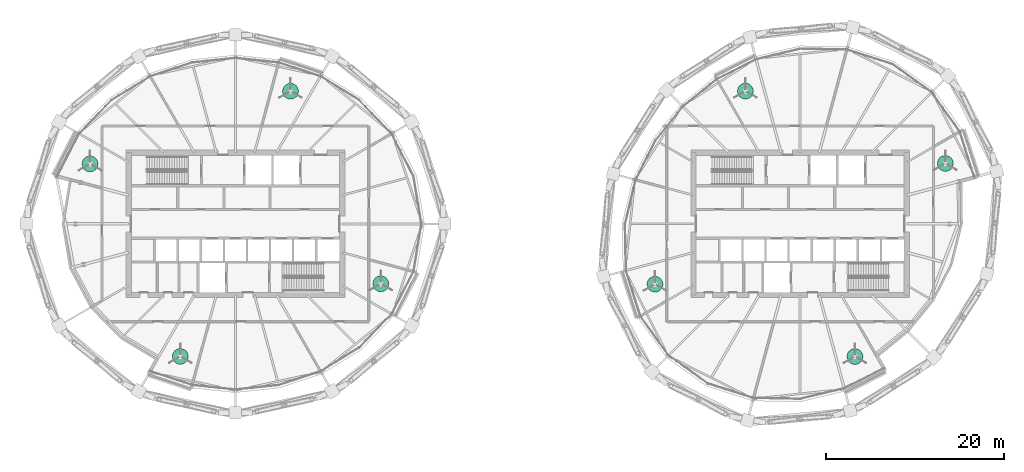
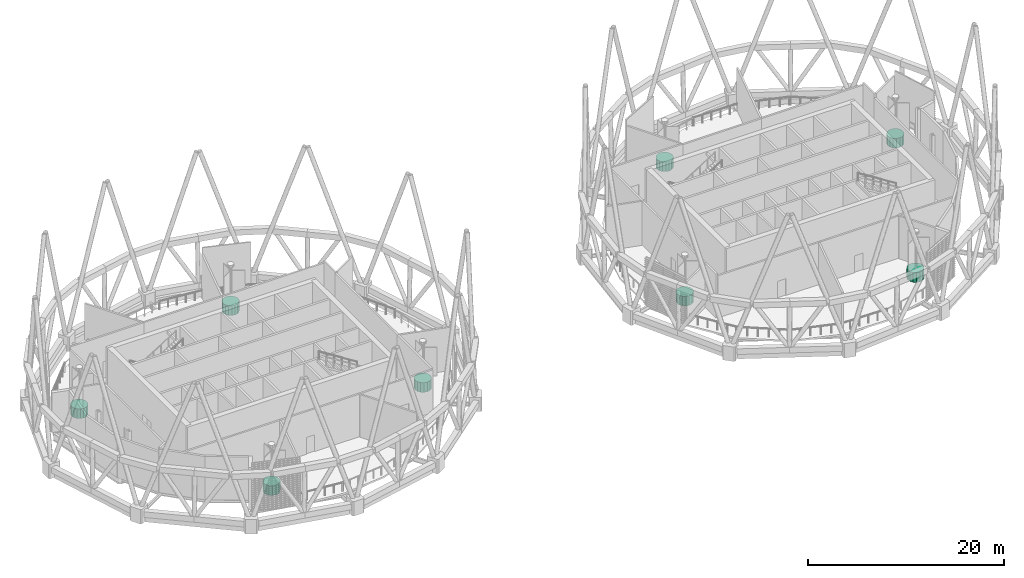
# One storey, part 22 of 22: 8 electric generators.
"""IFC4 building model written with IfcOpenShell, lengths in metres."""

import ifcopenshell
import ifcopenshell.guid

model = None  # the IFC model being written
_history = None  # IfcOwnerHistory: only IFC2X3 demands one
_inside = {}  # id of a spatial element -> (the spatial element, [elements in it])
_under = {}  # id of a project, library or spatial element -> (it, [spatial elements below it])
_declared = {}  # id of a project -> (the project, [libraries it declares])
_typed = {}  # id of a type object -> (the type object, [elements of that type])
_made_of = {}  # id of a material, layer set ... -> (it, [elements and type objects made of it])


def new_model(schema):
    """Start an empty IFC model of exactly this schema.

    Asked for "IFC4X3", IfcOpenShell would pick the latest addendum, in which some entities
    have other attributes; the version numbers below select the first issue.
    IFC2X3 requires an IfcOwnerHistory on every rooted entity: one is made here for all.
    """
    global model, _history
    if schema == "IFC4X3":
        model = ifcopenshell.file(schema_version=(4, 3, 0, 0))
    else:
        model = ifcopenshell.file(schema=schema)
    _inside.clear()
    _under.clear()
    _declared.clear()
    _typed.clear()
    _made_of.clear()
    _history = None
    if model.schema == "IFC2X3":
        org = make("IfcOrganization", Name="unknown")
        user = make(
            "IfcPersonAndOrganization",
            ThePerson=make("IfcPerson", FamilyName="unknown"),
            TheOrganization=org,
        )
        app = make(
            "IfcApplication",
            ApplicationDeveloper=org,
            Version="unknown",
            ApplicationFullName="unknown",
            ApplicationIdentifier="unknown",
        )
        _history = make(
            "IfcOwnerHistory",
            OwningUser=user,
            OwningApplication=app,
            ChangeAction="ADDED",
            CreationDate=0,
        )
    return model


def make(cls, **values):
    """One entity of the class cls with the attributes given. An attribute that is None is left unset."""
    return model.create_entity(
        cls, **{name: value for name, value in values.items() if value is not None}
    )


def rooted(cls, **values):
    """An entity with a GlobalId (a new one), such as an element, a storey or a relation."""
    return make(cls, GlobalId=ifcopenshell.guid.new(), OwnerHistory=_history, **values)


def si_unit(unit_type, name, prefix=None):
    """IfcSIUnit, for example si_unit("LENGTHUNIT", "METRE", prefix="MILLI")."""
    return make("IfcSIUnit", UnitType=unit_type, Prefix=prefix, Name=name)


def assignment(units):
    """IfcUnitAssignment: the units of a project."""
    return None if units is None else make("IfcUnitAssignment", Units=units)


def point(xyz):
    """IfcCartesianPoint."""
    return None if xyz is None else make("IfcCartesianPoint", Coordinates=xyz)


def direction(xyz):
    """IfcDirection."""
    return None if xyz is None else make("IfcDirection", DirectionRatios=xyz)


def frame(location, z_axis=None, x_axis=None):
    """IfcAxis2Placement3D, a coordinate frame: its origin and axes. An axis left out is left unset."""
    return make(
        "IfcAxis2Placement3D",
        Location=point(location),
        Axis=direction(z_axis),
        RefDirection=direction(x_axis),
    )


def origin():
    """The frame at (0, 0, 0) with its axes left unset."""
    return frame((0.0, 0.0, 0.0))


def place(relative_to, where):
    """IfcLocalPlacement: puts the frame where relative to a parent placement (None: the world)."""
    return make(
        "IfcLocalPlacement", PlacementRelTo=relative_to, RelativePlacement=where
    )


def context(
    kind, dimensions, precision=None, world=None, true_north=None, identifier=None
):
    """IfcGeometricRepresentationContext, for example the 3D "Model" context."""
    return make(
        "IfcGeometricRepresentationContext",
        ContextIdentifier=identifier,
        ContextType=kind,
        CoordinateSpaceDimension=dimensions,
        Precision=precision,
        WorldCoordinateSystem=world,
        TrueNorth=true_north,
    )


def subcontext(parent, identifier, kind, view, scale=None):
    """IfcGeometricRepresentationSubContext, for example "Body" below "Model"."""
    return make(
        "IfcGeometricRepresentationSubContext",
        ContextIdentifier=identifier,
        ContextType=kind,
        ParentContext=parent,
        TargetScale=scale,
        TargetView=view,
    )


def project(units=None, contexts=None):
    """IfcProject with its units and contexts."""
    return rooted(
        "IfcProject",
        Name="project",
        RepresentationContexts=contexts,
        UnitsInContext=assignment(units),
    )


def spatial(cls, under=None, at=None, **own):
    """A site, building, storey or space (cls), placed at a placement, below another one or the project."""
    s = rooted(cls, ObjectPlacement=at, **own)
    if under is not None:
        _under.setdefault(under.id(), (under, []))[1].append(s)
    return s


def polyline(points):
    """IfcPolyline through the points."""
    return make("IfcPolyline", Points=[point(p) for p in points])


def outline(outer, holes=None, kind="AREA"):
    """IfcArbitraryClosedProfileDef: a profile drawn as a closed curve; with holes, ...WithVoids."""
    if holes is None:
        return make("IfcArbitraryClosedProfileDef", ProfileType=kind, OuterCurve=outer)
    return make(
        "IfcArbitraryProfileDefWithVoids",
        ProfileType=kind,
        OuterCurve=outer,
        InnerCurves=holes,
    )


def extrude(swept, where, along, depth):
    """IfcExtrudedAreaSolid: the profile swept, set in the frame where, extruded along a direction by depth."""
    return make(
        "IfcExtrudedAreaSolid",
        SweptArea=swept,
        Position=where,
        ExtrudedDirection=direction(along),
        Depth=depth,
    )


def shape(context_of_items, identifier, shape_type, items):
    """IfcShapeRepresentation: the items that make up one representation, for example the "Body"."""
    return make(
        "IfcShapeRepresentation",
        ContextOfItems=context_of_items,
        RepresentationIdentifier=identifier,
        RepresentationType=shape_type,
        Items=items,
    )


def material(Name=None, Category=None):
    """IfcMaterial."""
    return make("IfcMaterial", Name=Name, Category=Category)


def made_of(thing, what):
    """Note that an element or type object is made of a material, layer set ...; save() writes the relation."""
    if what is not None:
        _made_of.setdefault(what.id(), (what, []))[1].append(thing)
    return thing


def type_object(cls, material=None, **own):
    """A type object (cls), such as IfcWallType, which elements share."""
    return made_of(rooted(cls, **own), material)


def element(
    cls,
    number,
    at=None,
    inside=None,
    cuts=None,
    type_object=None,
    material=None,
    context=None,
    identifier="Body",
    shape_type=None,
    held_by="IfcProductDefinitionShape",
    body=None,
    shapes=None,
    **own,
):
    """One element of the class cls, such as IfcWall. Its Tag is "e" and its number.

    at: its placement. inside: the storey or other place that contains it. cuts: it is an
    opening in that element (IfcRelVoidsElement). A single representation is given by context,
    identifier, shape_type and body (its items); several are given by shapes. held_by: the class
    of the entity that holds the representations. save() writes the other relations.
    """
    e = rooted(cls, Tag="e%d" % number, ObjectPlacement=at, **own)
    if body is not None:
        shapes = [shape(context, identifier, shape_type, body)]
    if shapes is not None:
        e.Representation = make(held_by, Representations=shapes)
    if inside is not None:
        _inside.setdefault(inside.id(), (inside, []))[1].append(e)
    if cuts is not None:
        rooted(
            "IfcRelVoidsElement", RelatingBuildingElement=cuts, RelatedOpeningElement=e
        )
    if type_object is not None:
        _typed.setdefault(type_object.id(), (type_object, []))[1].append(e)
    return made_of(e, material)


def aggregate(whole, parts):
    """IfcRelAggregates: a whole, such as a stair, and the parts it consists of."""
    return rooted("IfcRelAggregates", RelatingObject=whole, RelatedObjects=parts)


def save(model, path):
    """Write the relations noted so far, then the file.

    IfcRelAggregates (storeys below a building ...), IfcRelContainedInSpatialStructure (elements
    in a storey), IfcRelDefinesByType, IfcRelAssociatesMaterial and IfcRelDeclares: one each for
    every whole, place, type object, material and project.
    """
    for whole, parts in _under.values():
        aggregate(whole, parts)
    for where, things in _inside.values():
        rooted(
            "IfcRelContainedInSpatialStructure",
            RelatedElements=things,
            RelatingStructure=where,
        )
    for kind, things in _typed.values():
        rooted("IfcRelDefinesByType", RelatedObjects=things, RelatingType=kind)
    for what, things in _made_of.values():
        rooted("IfcRelAssociatesMaterial", RelatedObjects=things, RelatingMaterial=what)
    for by, libraries in _declared.values():
        rooted("IfcRelDeclares", RelatingContext=by, RelatedDefinitions=libraries)
    model.write(path)


model = new_model("IFC4")

# Units and contexts
model_context = context("Model", 3, precision=1e-05, world=origin(), true_north=direction((0.0, 1.0)))
body_context = subcontext(model_context, "Body", "Model", "MODEL_VIEW")
ifc_project = project(units=[si_unit("LENGTHUNIT", "METRE"), si_unit("AREAUNIT", "SQUARE_METRE"), si_unit("VOLUMEUNIT", "CUBIC_METRE"), si_unit("PLANEANGLEUNIT", "RADIAN"), si_unit("MASSUNIT", "GRAM", prefix="KILO")], contexts=[model_context])

# Site, building, storey
site_placement = place(None, origin())
site = spatial("IfcSite", under=ifc_project, at=site_placement, CompositionType="ELEMENT")
building_placement = place(site_placement, origin())
building = spatial("IfcBuilding", under=site, at=building_placement, Name="Rimbun Link Towers", CompositionType="ELEMENT")
storey_placement = place(building_placement, frame((0.0, 0.0, 204.5)))
storey = spatial("IfcBuildingStorey", under=building, at=storey_placement, Name="L50", CompositionType="ELEMENT", Elevation=204.5)

# Electric generators
ifc_material = material(Name="Aluminium and stainless steel", Category="steel")
electric_generator_type = type_object("IfcElectricGeneratorType", Name="WIND TURBINE vertical axis 1800X1200", PredefinedType="STANDALONE", material=ifc_material)
electric_generator_1_placement = place(storey_placement, origin())
element("IfcElectricGenerator", 1, at=electric_generator_1_placement, inside=storey, type_object=electric_generator_type, Name="WIND TURBINE", PredefinedType="STANDALONE", context=body_context, shape_type="SweptSolid", body=[
    extrude(outline(polyline([(-24.653564453125, 14.906494140625), (-24.721923828125, 15.250732421875), (-24.9169921875, 15.542724609375), (-25.208984375, 15.73779296875), (-25.553466796875, 15.806396484375), (-25.89794921875, 15.73779296875), (-26.18994140625, 15.542724609375), (-26.385009765625, 15.250732421875), (-26.45361328125, 14.906494140625), (-26.385009765625, 14.56201171875), (-26.18994140625, 14.27001953125), (-25.89794921875, 14.074951171875), (-25.553466796875, 14.00634765625), (-25.208984375, 14.074951171875), (-24.9169921875, 14.27001953125), (-24.721923828125, 14.56201171875), (-24.653564453125, 14.906494140625)])), origin(), (0.0, 0.0, 1.0), 1.199951171875),
])
electric_generator_2_placement = place(storey_placement, origin())
element("IfcElectricGenerator", 2, at=electric_generator_2_placement, inside=storey, type_object=electric_generator_type, Name="WIND TURBINE", PredefinedType="STANDALONE", context=body_context, shape_type="SweptSolid", body=[
    extrude(outline(polyline([(-47.195068359375, 6.7421875), (-47.263671875, 7.086669921875), (-47.458740234375, 7.37841796875), (-47.750732421875, 7.573486328125), (-48.09521484375, 7.64208984375), (-48.439453125, 7.573486328125), (-48.7314453125, 7.37841796875), (-48.926513671875, 7.086669921875), (-48.9951171875, 6.7421875), (-48.926513671875, 6.397705078125), (-48.7314453125, 6.105712890625), (-48.439453125, 5.91064453125), (-48.09521484375, 5.842041015625), (-47.750732421875, 5.91064453125), (-47.458740234375, 6.105712890625), (-47.263671875, 6.397705078125), (-47.195068359375, 6.7421875)])), origin(), (0.0, 0.0, 1.0), 1.199951171875),
])
electric_generator_3_placement = place(storey_placement, origin())
element("IfcElectricGenerator", 3, at=electric_generator_3_placement, inside=storey, type_object=electric_generator_type, Name="WIND TURBINE", PredefinedType="STANDALONE", context=body_context, shape_type="SweptSolid", body=[
    extrude(outline(polyline([(-37.04638671875, -14.906494140625), (-37.114990234375, -14.56201171875), (-37.31005859375, -14.27001953125), (-37.60205078125, -14.074951171875), (-37.946533203125, -14.00634765625), (-38.291015625, -14.074951171875), (-38.5830078125, -14.27001953125), (-38.778076171875, -14.56201171875), (-38.846435546875, -14.906494140625), (-38.778076171875, -15.250732421875), (-38.5830078125, -15.542724609375), (-38.291015625, -15.73779296875), (-37.946533203125, -15.806396484375), (-37.60205078125, -15.73779296875), (-37.31005859375, -15.542724609375), (-37.114990234375, -15.250732421875), (-37.04638671875, -14.906494140625)])), origin(), (0.0, 0.0, 1.0), 1.199951171875),
])
electric_generator_4_placement = place(storey_placement, origin())
element("IfcElectricGenerator", 4, at=electric_generator_4_placement, inside=storey, type_object=electric_generator_type, Name="WIND TURBINE", PredefinedType="STANDALONE", context=body_context, shape_type="SweptSolid", body=[
    extrude(outline(polyline([(-14.5048828125, -6.7421875), (-14.573486328125, -6.397705078125), (-14.7685546875, -6.105712890625), (-15.060546875, -5.91064453125), (-15.40478515625, -5.842041015625), (-15.749267578125, -5.91064453125), (-16.041259765625, -6.105712890625), (-16.236328125, -6.397705078125), (-16.304931640625, -6.7421875), (-16.236328125, -7.086669921875), (-16.041259765625, -7.37841796875), (-15.749267578125, -7.573486328125), (-15.40478515625, -7.64208984375), (-15.060546875, -7.573486328125), (-14.7685546875, -7.37841796875), (-14.573486328125, -7.086669921875), (-14.5048828125, -6.7421875)])), origin(), (0.0, 0.0, 1.0), 1.199951171875),
])
electric_generator_5_placement = place(storey_placement, origin())
element("IfcElectricGenerator", 5, at=electric_generator_5_placement, inside=storey, type_object=electric_generator_type, Name="WIND TURBINE", PredefinedType="STANDALONE", context=body_context, shape_type="SweptSolid", body=[
    extrude(outline(polyline([(26.4912109375, 14.922119140625), (26.422607421875, 15.266357421875), (26.2275390625, 15.558349609375), (25.935546875, 15.75341796875), (25.59130859375, 15.822021484375), (25.246826171875, 15.75341796875), (24.954833984375, 15.558349609375), (24.759765625, 15.266357421875), (24.691162109375, 14.922119140625), (24.759765625, 14.57763671875), (24.954833984375, 14.28564453125), (25.246826171875, 14.090576171875), (25.59130859375, 14.02197265625), (25.935546875, 14.090576171875), (26.2275390625, 14.28564453125), (26.422607421875, 14.57763671875), (26.4912109375, 14.922119140625)])), origin(), (0.0, 0.0, 1.0), 1.199951171875),
])
electric_generator_6_placement = place(storey_placement, origin())
element("IfcElectricGenerator", 6, at=electric_generator_6_placement, inside=storey, type_object=electric_generator_type, Name="WIND TURBINE", PredefinedType="STANDALONE", context=body_context, shape_type="SweptSolid", body=[
    extrude(outline(polyline([(16.32470703125, -6.790283203125), (16.25634765625, -6.44580078125), (16.061279296875, -6.15380859375), (15.769287109375, -5.958740234375), (15.4248046875, -5.890380859375), (15.080322265625, -5.958740234375), (14.788330078125, -6.15380859375), (14.593505859375, -6.44580078125), (14.52490234375, -6.790283203125), (14.593505859375, -7.134765625), (14.788330078125, -7.4267578125), (15.080322265625, -7.621826171875), (15.4248046875, -7.690185546875), (15.769287109375, -7.621826171875), (16.061279296875, -7.4267578125), (16.25634765625, -7.134765625), (16.32470703125, -6.790283203125)])), origin(), (0.0, 0.0, 1.0), 1.199951171875),
])
electric_generator_7_placement = place(storey_placement, origin())
element("IfcElectricGenerator", 7, at=electric_generator_7_placement, inside=storey, type_object=electric_generator_type, Name="WIND TURBINE", PredefinedType="STANDALONE", context=body_context, shape_type="SweptSolid", body=[
    extrude(outline(polyline([(38.808837890625, -14.922119140625), (38.740234375, -14.57763671875), (38.545166015625, -14.28564453125), (38.253173828125, -14.090576171875), (37.90869140625, -14.02197265625), (37.564453125, -14.090576171875), (37.2724609375, -14.28564453125), (37.077392578125, -14.57763671875), (37.0087890625, -14.922119140625), (37.077392578125, -15.266357421875), (37.2724609375, -15.558349609375), (37.564453125, -15.75341796875), (37.90869140625, -15.822021484375), (38.253173828125, -15.75341796875), (38.545166015625, -15.558349609375), (38.740234375, -15.266357421875), (38.808837890625, -14.922119140625)])), origin(), (0.0, 0.0, 1.0), 1.199951171875),
])
electric_generator_8_placement = place(storey_placement, origin())
element("IfcElectricGenerator", 8, at=electric_generator_8_placement, inside=storey, type_object=electric_generator_type, Name="WIND TURBINE", PredefinedType="STANDALONE", context=body_context, shape_type="SweptSolid", body=[
    extrude(outline(polyline([(48.97509765625, 6.790283203125), (48.906494140625, 7.134765625), (48.711669921875, 7.4267578125), (48.419677734375, 7.621826171875), (48.0751953125, 7.690185546875), (47.730712890625, 7.621826171875), (47.438720703125, 7.4267578125), (47.24365234375, 7.134765625), (47.17529296875, 6.790283203125), (47.24365234375, 6.44580078125), (47.438720703125, 6.15380859375), (47.730712890625, 5.958740234375), (48.0751953125, 5.890380859375), (48.419677734375, 5.958740234375), (48.711669921875, 6.15380859375), (48.906494140625, 6.44580078125), (48.97509765625, 6.790283203125)])), origin(), (0.0, 0.0, 1.0), 1.199951171875),
])

save(model, "model.ifc")
